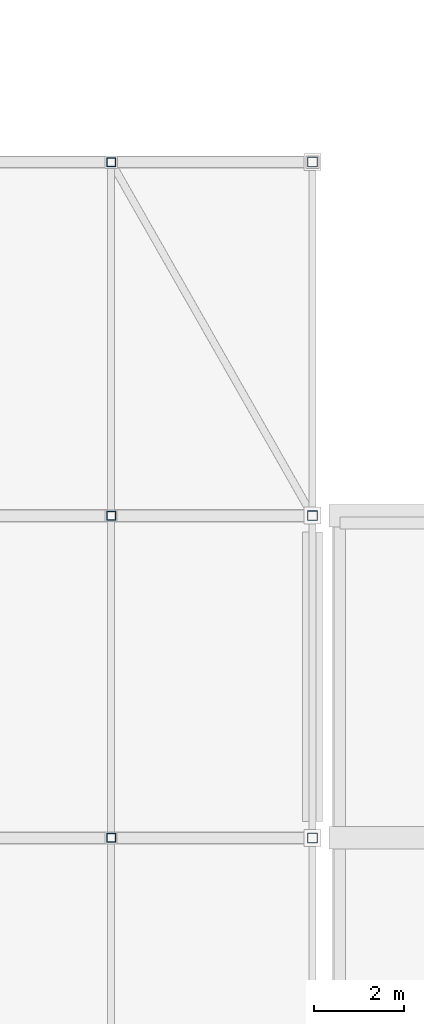
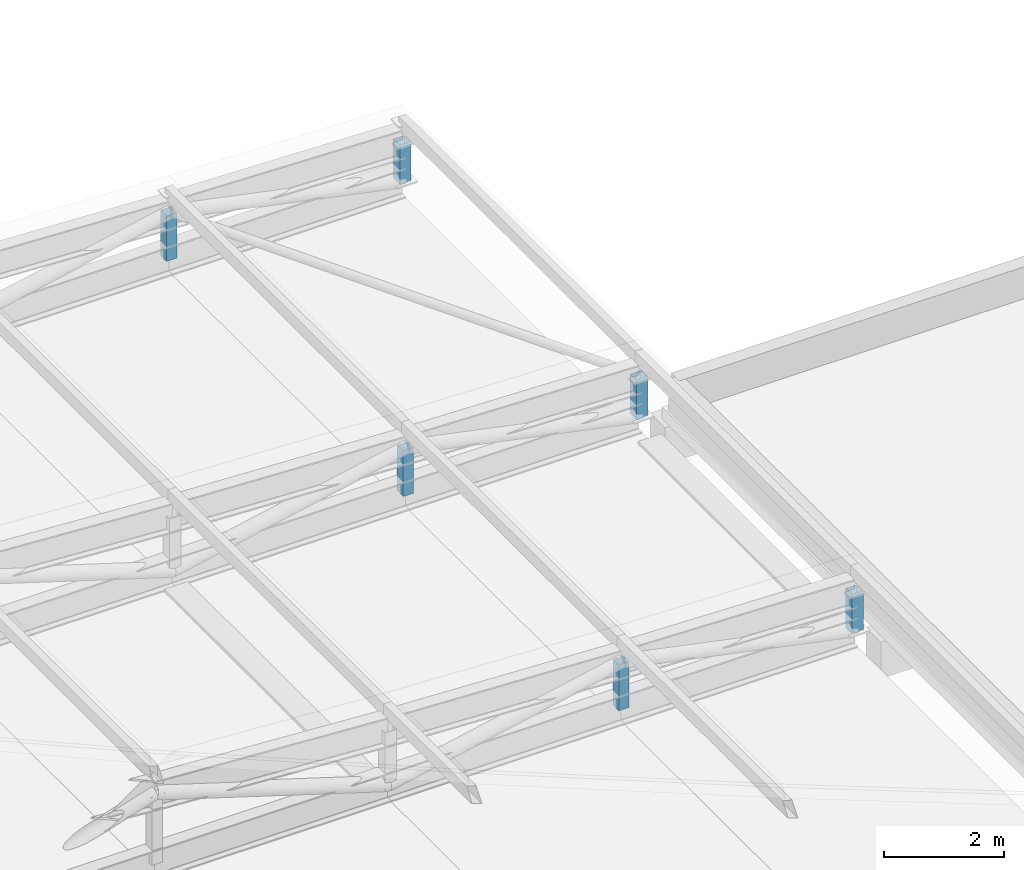
# One storey, part 82 of 114: 6 members.
"""IFC4 building model written with IfcOpenShell, lengths in metres."""

from ifc_helpers import new_model, si_unit, direction, frame, origin, origin_2d, place, context, subcontext, project, spatial, hollow_rectangle, extrude, material, material_profile, profile_set, type_object, element, save


model = new_model("IFC4")

# Units and contexts
model_context = context("Model", 3, precision=1e-05, world=origin(), true_north=direction((0.0, 1.0)))
body_context = subcontext(model_context, "Body", "Model", "MODEL_VIEW")
ifc_project = project(units=[si_unit("LENGTHUNIT", "METRE"), si_unit("AREAUNIT", "SQUARE_METRE"), si_unit("VOLUMEUNIT", "CUBIC_METRE"), si_unit("PLANEANGLEUNIT", "RADIAN"), si_unit("MASSUNIT", "GRAM", prefix="KILO"), si_unit("THERMODYNAMICTEMPERATUREUNIT", "KELVIN"), si_unit("POWERUNIT", "WATT")], contexts=[model_context])

# Site, building, storey
site_placement = place(None, origin())
site = spatial("IfcSite", under=ifc_project, at=site_placement, CompositionType="ELEMENT")
building_placement = place(site_placement, origin())
building = spatial("IfcBuilding", under=site, at=building_placement, Name="Sindhuravela Promenade Stadium", CompositionType="ELEMENT")
storey_placement = place(building_placement, frame((0.0, 0.0, 24.0)))
storey = spatial("IfcBuildingStorey", under=building, at=storey_placement, Name="L05", CompositionType="ELEMENT", Elevation=24.0)

# Members
ifc_material = material(Name="Steel E350 (IS 2062 E350BR)", Category="steel")
ifc_material_profile_1 = material_profile(ifc_material, hollow_rectangle(XDim=0.199951171875, YDim=0.199951171875, WallThickness=0.010009765625, at=origin_2d()), Name="SHS 200x200x10")
ifc_profile_set_1 = profile_set([ifc_material_profile_1], Name="Steel E350 (IS 2062 E350BR)")
member_type_1 = type_object("IfcMemberType", Name="ST-MB-SHS200", PredefinedType="POST", material=ifc_profile_set_1)
for number, where, z_axis, x_axis, name in (
    (1, (193.5, 109.800048828125, 0.0), (0.0, 0.0, 1.0), (1.0, 0.0, 0.0), "Roof truss RT-E07 vertical post 2"),
    (2, (193.5, 117.0, 0.0), (0.0, 0.0, 1.0), (1.0, 0.0, 0.0), "Roof truss RT-E08 vertical post 2"),
    (3, (193.5, 124.89990234375, 0.0), (0.0, 0.0, 1.0), (1.0, 0.0, 0.0), "Roof truss RT-E09 vertical post 2"),
):
    element("IfcMember", number, at=place(storey_placement, frame(where, z_axis=z_axis, x_axis=x_axis)), inside=storey, type_object=member_type_1, Name=name, PredefinedType="POST", context=body_context, shape_type="SweptSolid", body=[
        extrude(hollow_rectangle(XDim=0.199951171875, YDim=0.199951171875, WallThickness=0.010009765625, at=origin_2d()), origin(), (0.0, 0.0, 1.0), 0.9306640625),
    ])
ifc_material_profile_2 = material_profile(ifc_material, hollow_rectangle(XDim=0.219970703125, YDim=0.219970703125, WallThickness=0.011962890625, at=origin_2d()), Name="SHS 220x220x12")
ifc_profile_set_2 = profile_set([ifc_material_profile_2], Name="Steel E350 (IS 2062 E350BR)")
member_type_2 = type_object("IfcMemberType", Name="ST-MB-SHS220", PredefinedType="POST", material=ifc_profile_set_2)
for number, where, z_axis, x_axis, name in (
    (4, (198.0, 109.800048828125, 0.0), (0.0, 0.0, 1.0), (1.0, 0.0, 0.0), "Roof truss RT-E07 vertical post 1"),
    (5, (198.0, 117.0, 0.0), (0.0, 0.0, 1.0), (1.0, 0.0, 0.0), "Roof truss RT-E08 vertical post 1"),
    (6, (198.0, 124.89990234375, 0.0), (0.0, 0.0, 1.0), (1.0, 0.0, 0.0), "Roof truss RT-E09 vertical post 1"),
):
    element("IfcMember", number, at=place(storey_placement, frame(where, z_axis=z_axis, x_axis=x_axis)), inside=storey, type_object=member_type_2, Name=name, PredefinedType="POST", context=body_context, shape_type="SweptSolid", body=[
        extrude(hollow_rectangle(XDim=0.219970703125, YDim=0.219970703125, WallThickness=0.011962890625, at=origin_2d()), origin(), (0.0, 0.0, 1.0), 0.800048828125),
    ])

save(model, "model.ifc")
